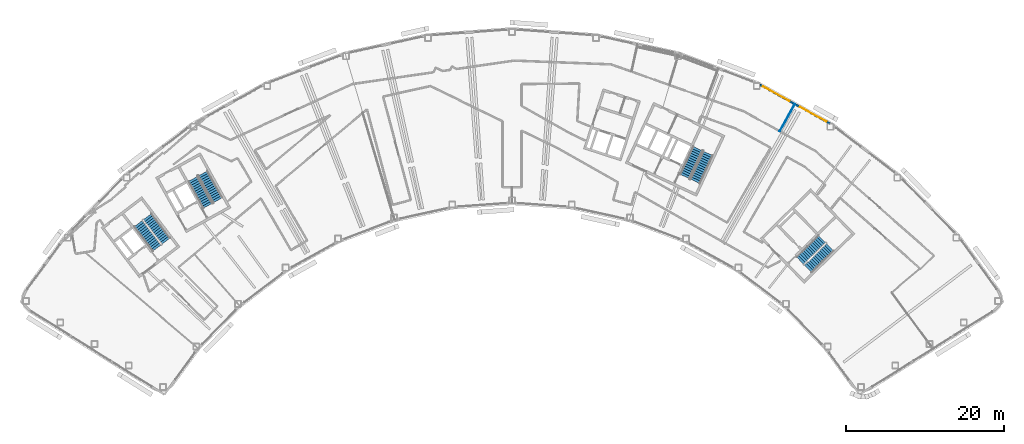
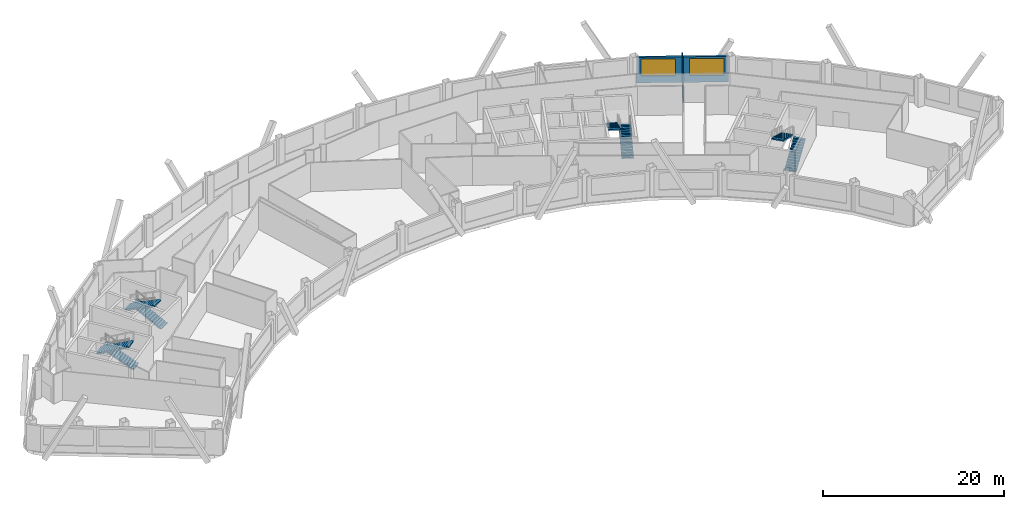
# One storey, part 11 of 13: 8 stair flights, 2 walls, 2 windows, 2 openings, 4 elements without a shape of their own.
"""IFC4 building model written with IfcOpenShell, lengths in metres."""

from ifc_helpers import new_model, si_unit, direction, frame, frame_2d, origin, place, context, subcontext, project, spatial, polyline, rectangle, outline, extrude, material, layer, layer_set, type_object, element, fill, aggregate, save


model = new_model("IFC4")

# Units and contexts
model_context = context("Model", 3, precision=1e-05, world=origin(), true_north=direction((0.0, 1.0)))
body_context = subcontext(model_context, "Body", "Model", "MODEL_VIEW")
ifc_project = project(units=[si_unit("LENGTHUNIT", "METRE"), si_unit("AREAUNIT", "SQUARE_METRE"), si_unit("VOLUMEUNIT", "CUBIC_METRE"), si_unit("PLANEANGLEUNIT", "RADIAN"), si_unit("MASSUNIT", "GRAM", prefix="KILO")], contexts=[model_context])

# Site, building, storey
site_placement = place(None, origin())
site = spatial("IfcSite", under=ifc_project, at=site_placement, CompositionType="ELEMENT")
building_placement = place(site_placement, origin())
building = spatial("IfcBuilding", under=site, at=building_placement, Name="Tuul Gate Civic Tower", CompositionType="ELEMENT")
storey_placement = place(building_placement, frame((0.0, 0.0, 248.39990234375)))
storey = spatial("IfcBuildingStorey", under=building, at=storey_placement, Name="Level 56", CompositionType="ELEMENT", Elevation=248.39990234375)

# Wall, openings, windows
ifc_material_1 = material(Name="Precast concrete C40/50", Category="concrete")
ifc_layer_1 = layer(ifc_material_1, 0.25)
ifc_layer_set_1 = layer_set([ifc_layer_1], Name="Precast concrete C40/50")
wall_type_1 = type_object("IfcWallType", Name="External wall", PredefinedType="STANDARD", material=ifc_layer_set_1)
wall_1_placement = place(storey_placement, frame((51.380615234375, 1.85205078125, 0.0), z_axis=(0.0, 0.0, 1.0), x_axis=(-0.87463069098, 0.484789804345, 0.0)))
wall_1 = element("IfcWall", 1, at=wall_1_placement, inside=storey, type_object=wall_type_1, Name="External wall", PredefinedType="STANDARD", context=body_context, shape_type="SweptSolid", body=[
    extrude(rectangle(XDim=10.1591796875, YDim=0.25, at=frame_2d((5.07958984375, 0.0))), origin(), (0.0, 0.0, 1.0), 3.4501953125),
])
opening_1_placement = place(wall_1_placement, frame((0.48779296875, 0.0, 0.89990234375)))
opening_1 = element("IfcOpeningElement", 2, at=opening_1_placement, cuts=wall_1, Name="Opening W22", PredefinedType="OPENING", context=body_context, shape_type="SweptSolid", body=[
    extrude(rectangle(XDim=3.85009765625, YDim=2.300048828125, at=frame_2d((1.925048828125, 1.14990234375))), frame((0.0, 0.135009765625, 0.0), z_axis=(0.0, -1.0, 0.0), x_axis=(1.0, 0.0, 0.0)), (0.0, 0.0, 1.0), 0.27001953125),
])
opening_2_placement = place(wall_1_placement, frame((5.859130859375, 0.0, 0.89990234375)))
opening_2 = element("IfcOpeningElement", 3, at=opening_2_placement, cuts=wall_1, Name="Opening W22", PredefinedType="OPENING", context=body_context, shape_type="SweptSolid", body=[
    extrude(rectangle(XDim=3.85009765625, YDim=2.300048828125, at=frame_2d((1.925048828125, 1.14990234375))), frame((0.0, 0.135009765625, 0.0), z_axis=(0.0, -1.0, 0.0), x_axis=(1.0, 0.0, 0.0)), (0.0, 0.0, 1.0), 0.27001953125),
])
ifc_material_2 = material(Name="Glass", Category="glass")
window_type = type_object("IfcWindowType", Name="Window W22 3850 x 2300", PartitioningType="SINGLE_PANEL", PredefinedType="WINDOW", material=ifc_material_2)
window_1_placement = place(opening_1_placement, origin())
window_1 = element("IfcWindow", 4, at=window_1_placement, inside=storey, type_object=window_type, Name="Window", OverallHeight=2.300048828125, OverallWidth=3.85009765625, PartitioningType="SINGLE_PANEL", PredefinedType="WINDOW", context=body_context, shape_type="SweptSolid", body=[
    extrude(rectangle(XDim=3.85009765625, YDim=2.300048828125, at=frame_2d((1.925048828125, 1.14990234375))), frame((0.0, 0.030029296875, 0.0), z_axis=(0.0, -1.0, 0.0), x_axis=(1.0, 0.0, 0.0)), (0.0, 0.0, 1.0), 0.06005859375),
])
fill(opening_1, window_1)
window_2_placement = place(opening_2_placement, origin())
window_2 = element("IfcWindow", 5, at=window_2_placement, inside=storey, type_object=window_type, Name="Window", OverallHeight=2.300048828125, OverallWidth=3.85009765625, PartitioningType="SINGLE_PANEL", PredefinedType="WINDOW", context=body_context, shape_type="SweptSolid", body=[
    extrude(rectangle(XDim=3.85009765625, YDim=2.300048828125, at=frame_2d((1.925048828125, 1.14990234375))), frame((0.0, 0.030029296875, 0.0), z_axis=(0.0, -1.0, 0.0), x_axis=(1.0, 0.0, 0.0)), (0.0, 0.0, 1.0), 0.06005859375),
])
fill(opening_2, window_2)

# Wall
ifc_material_3 = material(Name="Gypsum board partition")
ifc_layer_2 = layer(ifc_material_3, 0.10009765625)
ifc_layer_set_2 = layer_set([ifc_layer_2], Name="Gypsum board partition")
wall_type_2 = type_object("IfcWallType", Name="Partition P100", PredefinedType="PARTITIONING", material=ifc_layer_set_2)
wall_2_placement = place(storey_placement, frame((45.010009765625, 0.87548828125, 0.0), z_axis=(0.0, 0.0, 1.0), x_axis=(0.484760482197, 0.874646943, 0.0)))
element("IfcWall", 6, at=wall_2_placement, inside=storey, type_object=wall_type_2, Name="p001", PredefinedType="PARTITIONING", context=body_context, shape_type="SweptSolid", body=[
    extrude(rectangle(XDim=3.947509765625, YDim=0.10009765625, at=frame_2d((1.9736328125, 0.0))), origin(), (0.0, 0.0, 1.0), 3.900146484375),
])

# Stair, stair flights
ifc_material_4 = material(Name="Concrete C40/50", Category="concrete")
stair_type = type_object("IfcStairType", Name="Exit stair", PredefinedType="HALF_TURN_STAIR", material=ifc_material_4)
stair_1_placement = place(storey_placement, origin())
stair_1 = element("IfcStair", 7, at=stair_1_placement, inside=storey, type_object=stair_type, Name="Level 56 ST-1", PredefinedType="HALF_TURN_STAIR")
ifc_material_5 = material(Name="Concrete C40/50", Category="concrete")
stair_flight_type = type_object("IfcStairFlightType", Name="Exit stair flight", PredefinedType="STRAIGHT", material=ifc_material_5)
stair_flight_1_placement = place(storey_placement, frame((-32.875244140625, -13.066650390625, 0.0), z_axis=(0.0, 0.0, 1.0), x_axis=(-0.605764474941, 0.795644016442, 0.0)))
stair_flight_1 = element("IfcStairFlight", 8, at=stair_flight_1_placement, type_object=stair_flight_type, Name="ST-1 flight 1", NumberOfRisers=14, NumberOfTreads=13, PredefinedType="STRAIGHT", RiserHeight=0.15, TreadLength=0.3, context=body_context, shape_type="SweptSolid", body=[
    extrude(outline(polyline([(0.0, 0.0), (0.0, 0.14990234375), (0.300048828125, 0.14990234375), (0.300048828125, 0.300048828125), (0.60009765625, 0.300048828125), (0.60009765625, 0.449951171875), (0.89990234375, 0.449951171875), (0.89990234375, 0.60009765625), (1.199951171875, 0.60009765625), (1.199951171875, 0.75), (1.5, 0.75), (1.5, 0.89990234375), (1.800048828125, 0.89990234375), (1.800048828125, 1.050048828125), (2.10009765625, 1.050048828125), (2.10009765625, 1.199951171875), (2.39990234375, 1.199951171875), (2.39990234375, 1.35009765625), (2.699951171875, 1.35009765625), (2.699951171875, 1.5), (3.0, 1.5), (3.0, 1.64990234375), (3.300048828125, 1.64990234375), (3.300048828125, 1.800048828125), (3.60009765625, 1.800048828125), (3.60009765625, 1.949951171875), (3.89990234375, 1.949951171875), (3.89990234375, 2.10009765625), (3.89990234375, 1.782470703125), (0.335205078125, 0.0), (0.0, 0.0)])), frame((0.0, 0.675048828125, 0.0), z_axis=(0.0, -1.0, 0.0), x_axis=(1.0, 0.0, 0.0)), (0.0, 0.0, 1.0), 1.35009765625),
])
stair_flight_2_placement = place(storey_placement, frame((-36.391357421875, -10.842041015625, 2.10009765625), z_axis=(0.0, 0.0, 1.0), x_axis=(0.605764474941, -0.795644016442, 0.0)))
stair_flight_2 = element("IfcStairFlight", 9, at=stair_flight_2_placement, type_object=stair_flight_type, Name="ST-1 flight 2", NumberOfRisers=14, NumberOfTreads=13, PredefinedType="STRAIGHT", RiserHeight=0.15, TreadLength=0.3, context=body_context, shape_type="SweptSolid", body=[
    extrude(outline(polyline([(0.0, 0.0), (0.0, 0.14990234375), (0.300048828125, 0.14990234375), (0.300048828125, 0.300048828125), (0.60009765625, 0.300048828125), (0.60009765625, 0.449951171875), (0.89990234375, 0.449951171875), (0.89990234375, 0.60009765625), (1.199951171875, 0.60009765625), (1.199951171875, 0.75), (1.5, 0.75), (1.5, 0.89990234375), (1.800048828125, 0.89990234375), (1.800048828125, 1.050048828125), (2.10009765625, 1.050048828125), (2.10009765625, 1.199951171875), (2.39990234375, 1.199951171875), (2.39990234375, 1.35009765625), (2.699951171875, 1.35009765625), (2.699951171875, 1.5), (3.0, 1.5), (3.0, 1.64990234375), (3.300048828125, 1.64990234375), (3.300048828125, 1.800048828125), (3.60009765625, 1.800048828125), (3.60009765625, 1.949951171875), (3.89990234375, 1.949951171875), (3.89990234375, 2.10009765625), (3.89990234375, 1.782470703125), (0.335205078125, 0.0), (0.0, 0.0)])), frame((0.0, 0.675048828125, 0.0), z_axis=(0.0, -1.0, 0.0), x_axis=(1.0, 0.0, 0.0)), (0.0, 0.0, 1.0), 1.35009765625),
])
aggregate(stair_1, [stair_flight_1, stair_flight_2])

stair_2_placement = place(storey_placement, origin())
stair_2 = element("IfcStair", 10, at=stair_2_placement, inside=storey, type_object=stair_type, Name="Level 56 ST-2", PredefinedType="HALF_TURN_STAIR")
stair_flight_3_placement = place(storey_placement, frame((-26.29150390625, -7.87646484375, 0.0), z_axis=(0.0, 0.0, 1.0), x_axis=(-0.484761763766, 0.874646232708, 0.0)))
stair_flight_3 = element("IfcStairFlight", 11, at=stair_flight_3_placement, type_object=stair_flight_type, Name="ST-2 flight 1", NumberOfRisers=14, NumberOfTreads=13, PredefinedType="STRAIGHT", RiserHeight=0.15, TreadLength=0.3, context=body_context, shape_type="SweptSolid", body=[
    extrude(outline(polyline([(0.0, 0.0), (0.0, 0.14990234375), (0.300048828125, 0.14990234375), (0.300048828125, 0.300048828125), (0.60009765625, 0.300048828125), (0.60009765625, 0.449951171875), (0.89990234375, 0.449951171875), (0.89990234375, 0.60009765625), (1.199951171875, 0.60009765625), (1.199951171875, 0.75), (1.5, 0.75), (1.5, 0.89990234375), (1.800048828125, 0.89990234375), (1.800048828125, 1.050048828125), (2.10009765625, 1.050048828125), (2.10009765625, 1.199951171875), (2.39990234375, 1.199951171875), (2.39990234375, 1.35009765625), (2.699951171875, 1.35009765625), (2.699951171875, 1.5), (3.0, 1.5), (3.0, 1.64990234375), (3.300048828125, 1.64990234375), (3.300048828125, 1.800048828125), (3.60009765625, 1.800048828125), (3.60009765625, 1.949951171875), (3.89990234375, 1.949951171875), (3.89990234375, 2.10009765625), (3.89990234375, 1.782470703125), (0.335205078125, 0.0), (0.0, 0.0)])), frame((0.0, 0.675048828125, 0.0), z_axis=(0.0, -1.0, 0.0), x_axis=(1.0, 0.0, 0.0)), (0.0, 0.0, 1.0), 1.35009765625),
])
stair_flight_4_placement = place(storey_placement, frame((-29.450439453125, -5.168212890625, 2.10009765625), z_axis=(0.0, 0.0, 1.0), x_axis=(0.484761763766, -0.874646232708, 0.0)))
stair_flight_4 = element("IfcStairFlight", 12, at=stair_flight_4_placement, type_object=stair_flight_type, Name="ST-2 flight 2", NumberOfRisers=14, NumberOfTreads=13, PredefinedType="STRAIGHT", RiserHeight=0.15, TreadLength=0.3, context=body_context, shape_type="SweptSolid", body=[
    extrude(outline(polyline([(0.0, 0.0), (0.0, 0.14990234375), (0.300048828125, 0.14990234375), (0.300048828125, 0.300048828125), (0.60009765625, 0.300048828125), (0.60009765625, 0.449951171875), (0.89990234375, 0.449951171875), (0.89990234375, 0.60009765625), (1.199951171875, 0.60009765625), (1.199951171875, 0.75), (1.5, 0.75), (1.5, 0.89990234375), (1.800048828125, 0.89990234375), (1.800048828125, 1.050048828125), (2.10009765625, 1.050048828125), (2.10009765625, 1.199951171875), (2.39990234375, 1.199951171875), (2.39990234375, 1.35009765625), (2.699951171875, 1.35009765625), (2.699951171875, 1.5), (3.0, 1.5), (3.0, 1.64990234375), (3.300048828125, 1.64990234375), (3.300048828125, 1.800048828125), (3.60009765625, 1.800048828125), (3.60009765625, 1.949951171875), (3.89990234375, 1.949951171875), (3.89990234375, 2.10009765625), (3.89990234375, 1.782470703125), (0.335205078125, 0.0), (0.0, 0.0)])), frame((0.0, 0.675048828125, 0.0), z_axis=(0.0, -1.0, 0.0), x_axis=(1.0, 0.0, 0.0)), (0.0, 0.0, 1.0), 1.35009765625),
])
aggregate(stair_2, [stair_flight_3, stair_flight_4])

stair_3_placement = place(storey_placement, origin())
stair_3 = element("IfcStair", 13, at=stair_3_placement, inside=storey, type_object=stair_type, Name="Level 56 ST-3", PredefinedType="HALF_TURN_STAIR")
stair_flight_5_placement = place(storey_placement, frame((48.61376953125, -16.581787109375, 0.0), z_axis=(0.0, 0.0, 1.0), x_axis=(0.714127290059, 0.700015866672, 0.0)))
stair_flight_5 = element("IfcStairFlight", 14, at=stair_flight_5_placement, type_object=stair_flight_type, Name="ST-3 flight 1", NumberOfRisers=14, NumberOfTreads=13, PredefinedType="STRAIGHT", RiserHeight=0.15, TreadLength=0.3, context=body_context, shape_type="SweptSolid", body=[
    extrude(outline(polyline([(0.0, 0.0), (0.0, 0.14990234375), (0.300048828125, 0.14990234375), (0.300048828125, 0.300048828125), (0.60009765625, 0.300048828125), (0.60009765625, 0.449951171875), (0.89990234375, 0.449951171875), (0.89990234375, 0.60009765625), (1.199951171875, 0.60009765625), (1.199951171875, 0.75), (1.5, 0.75), (1.5, 0.89990234375), (1.800048828125, 0.89990234375), (1.800048828125, 1.050048828125), (2.10009765625, 1.050048828125), (2.10009765625, 1.199951171875), (2.39990234375, 1.199951171875), (2.39990234375, 1.35009765625), (2.699951171875, 1.35009765625), (2.699951171875, 1.5), (3.0, 1.5), (3.0, 1.64990234375), (3.300048828125, 1.64990234375), (3.300048828125, 1.800048828125), (3.60009765625, 1.800048828125), (3.60009765625, 1.949951171875), (3.89990234375, 1.949951171875), (3.89990234375, 2.10009765625), (3.89990234375, 1.782470703125), (0.335205078125, 0.0), (0.0, 0.0)])), frame((0.0, 0.675048828125, 0.0), z_axis=(0.0, -1.0, 0.0), x_axis=(1.0, 0.0, 0.0)), (0.0, 0.0, 1.0), 1.35009765625),
])
stair_flight_6_placement = place(storey_placement, frame((50.3837890625, -12.816162109375, 2.10009765625), z_axis=(0.0, 0.0, 1.0), x_axis=(-0.714127290059, -0.700015866672, 0.0)))
stair_flight_6 = element("IfcStairFlight", 15, at=stair_flight_6_placement, type_object=stair_flight_type, Name="ST-3 flight 2", NumberOfRisers=14, NumberOfTreads=13, PredefinedType="STRAIGHT", RiserHeight=0.15, TreadLength=0.3, context=body_context, shape_type="SweptSolid", body=[
    extrude(outline(polyline([(0.0, 0.0), (0.0, 0.14990234375), (0.300048828125, 0.14990234375), (0.300048828125, 0.300048828125), (0.60009765625, 0.300048828125), (0.60009765625, 0.449951171875), (0.89990234375, 0.449951171875), (0.89990234375, 0.60009765625), (1.199951171875, 0.60009765625), (1.199951171875, 0.75), (1.5, 0.75), (1.5, 0.89990234375), (1.800048828125, 0.89990234375), (1.800048828125, 1.050048828125), (2.10009765625, 1.050048828125), (2.10009765625, 1.199951171875), (2.39990234375, 1.199951171875), (2.39990234375, 1.35009765625), (2.699951171875, 1.35009765625), (2.699951171875, 1.5), (3.0, 1.5), (3.0, 1.64990234375), (3.300048828125, 1.64990234375), (3.300048828125, 1.800048828125), (3.60009765625, 1.800048828125), (3.60009765625, 1.949951171875), (3.89990234375, 1.949951171875), (3.89990234375, 2.10009765625), (3.89990234375, 1.782470703125), (0.335205078125, 0.0), (0.0, 0.0)])), frame((0.0, 0.675048828125, 0.0), z_axis=(0.0, -1.0, 0.0), x_axis=(1.0, 0.0, 0.0)), (0.0, 0.0, 1.0), 1.35009765625),
])
aggregate(stair_3, [stair_flight_5, stair_flight_6])

stair_4_placement = place(storey_placement, origin())
stair_4 = element("IfcStair", 16, at=stair_4_placement, inside=storey, type_object=stair_type, Name="Level 56 ST-4", PredefinedType="HALF_TURN_STAIR")
stair_flight_7_placement = place(storey_placement, frame((34.278564453125, -5.478515625, 0.0), z_axis=(0.0, 0.0, 1.0), x_axis=(0.422576295988, 0.906327354806, 0.0)))
stair_flight_7 = element("IfcStairFlight", 17, at=stair_flight_7_placement, type_object=stair_flight_type, Name="ST-4 flight 1", NumberOfRisers=14, NumberOfTreads=13, PredefinedType="STRAIGHT", RiserHeight=0.15, TreadLength=0.3, context=body_context, shape_type="SweptSolid", body=[
    extrude(outline(polyline([(0.0, 0.0), (0.0, 0.14990234375), (0.300048828125, 0.14990234375), (0.300048828125, 0.300048828125), (0.60009765625, 0.300048828125), (0.60009765625, 0.449951171875), (0.89990234375, 0.449951171875), (0.89990234375, 0.60009765625), (1.199951171875, 0.60009765625), (1.199951171875, 0.75), (1.5, 0.75), (1.5, 0.89990234375), (1.800048828125, 0.89990234375), (1.800048828125, 1.050048828125), (2.10009765625, 1.050048828125), (2.10009765625, 1.199951171875), (2.39990234375, 1.199951171875), (2.39990234375, 1.35009765625), (2.699951171875, 1.35009765625), (2.699951171875, 1.5), (3.0, 1.5), (3.0, 1.64990234375), (3.300048828125, 1.64990234375), (3.300048828125, 1.800048828125), (3.60009765625, 1.800048828125), (3.60009765625, 1.949951171875), (3.89990234375, 1.949951171875), (3.89990234375, 2.10009765625), (3.89990234375, 1.782470703125), (0.335205078125, 0.0), (0.0, 0.0)])), frame((0.0, 0.675048828125, 0.0), z_axis=(0.0, -1.0, 0.0), x_axis=(1.0, 0.0, 0.0)), (0.0, 0.0, 1.0), 1.35009765625),
])
stair_flight_8_placement = place(storey_placement, frame((34.612548828125, -1.3310546875, 2.10009765625), z_axis=(0.0, 0.0, 1.0), x_axis=(-0.422576295988, -0.906327354806, 0.0)))
stair_flight_8 = element("IfcStairFlight", 18, at=stair_flight_8_placement, type_object=stair_flight_type, Name="ST-4 flight 2", NumberOfRisers=14, NumberOfTreads=13, PredefinedType="STRAIGHT", RiserHeight=0.15, TreadLength=0.3, context=body_context, shape_type="SweptSolid", body=[
    extrude(outline(polyline([(0.0, 0.0), (0.0, 0.14990234375), (0.300048828125, 0.14990234375), (0.300048828125, 0.300048828125), (0.60009765625, 0.300048828125), (0.60009765625, 0.449951171875), (0.89990234375, 0.449951171875), (0.89990234375, 0.60009765625), (1.199951171875, 0.60009765625), (1.199951171875, 0.75), (1.5, 0.75), (1.5, 0.89990234375), (1.800048828125, 0.89990234375), (1.800048828125, 1.050048828125), (2.10009765625, 1.050048828125), (2.10009765625, 1.199951171875), (2.39990234375, 1.199951171875), (2.39990234375, 1.35009765625), (2.699951171875, 1.35009765625), (2.699951171875, 1.5), (3.0, 1.5), (3.0, 1.64990234375), (3.300048828125, 1.64990234375), (3.300048828125, 1.800048828125), (3.60009765625, 1.800048828125), (3.60009765625, 1.949951171875), (3.89990234375, 1.949951171875), (3.89990234375, 2.10009765625), (3.89990234375, 1.782470703125), (0.335205078125, 0.0), (0.0, 0.0)])), frame((0.0, 0.675048828125, 0.0), z_axis=(0.0, -1.0, 0.0), x_axis=(1.0, 0.0, 0.0)), (0.0, 0.0, 1.0), 1.35009765625),
])
aggregate(stair_4, [stair_flight_7, stair_flight_8])

save(model, "model.ifc")
